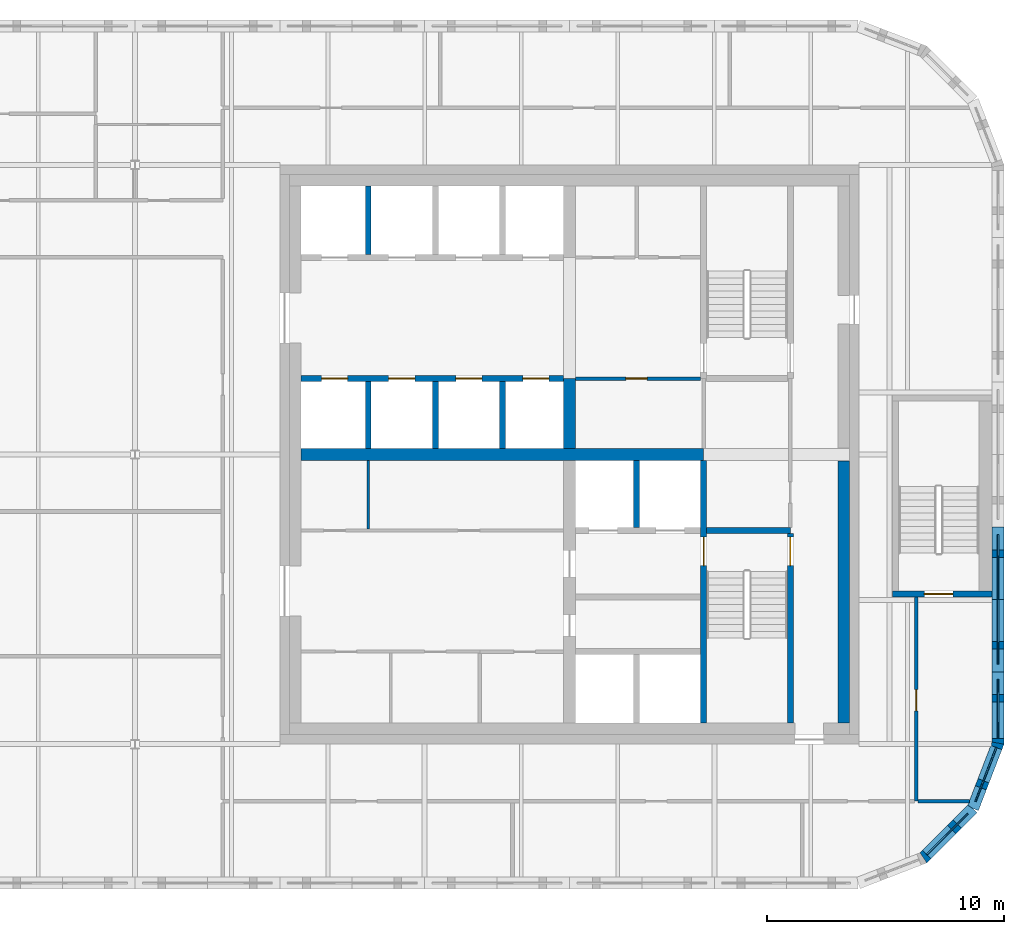
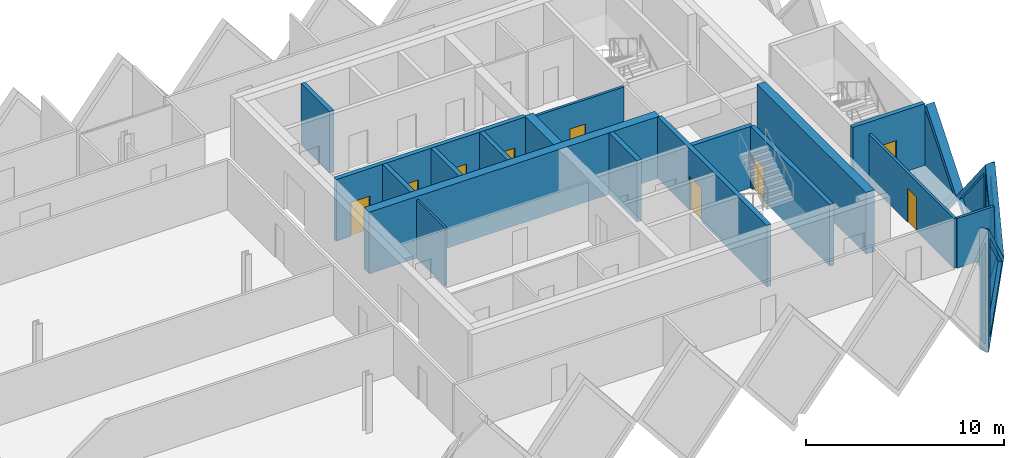
# One storey, part 6 of 11: 21 walls, 9 doors, 4 plates, 13 openings.
"""IFC4 building model written with IfcOpenShell, lengths in metres."""

from ifc_helpers import new_model, si_unit, direction, frame, frame_2d, origin, place, context, subcontext, project, spatial, polyline, rectangle, outline, extrude, faceted_brep, source, transform, mapped, material, layer, layer_set, type_object, element, fill, save


model = new_model("IFC4")

# Units and contexts
model_context = context("Model", 3, precision=1e-05, world=origin(), true_north=direction((0.0, 1.0)))
body_context = subcontext(model_context, "Body", "Model", "MODEL_VIEW")
ifc_project = project(units=[si_unit("LENGTHUNIT", "METRE"), si_unit("AREAUNIT", "SQUARE_METRE"), si_unit("VOLUMEUNIT", "CUBIC_METRE"), si_unit("PLANEANGLEUNIT", "RADIAN"), si_unit("MASSUNIT", "GRAM", prefix="KILO")], contexts=[model_context])

# Site, building, storey
site_placement = place(None, origin())
site = spatial("IfcSite", under=ifc_project, at=site_placement, CompositionType="ELEMENT")
building_placement = place(site_placement, origin())
building = spatial("IfcBuilding", under=site, at=building_placement, Name="Tessera Gate Towers", CompositionType="ELEMENT")
storey_placement = place(building_placement, frame((0.0, 0.0, 240.699951171875)))
storey = spatial("IfcBuildingStorey", under=building, at=storey_placement, Name="L60", CompositionType="ELEMENT", Elevation=240.699951171875)

# Wall, openings, doors
ifc_material_1 = material(Name="Concrete C40/50", Category="concrete")
ifc_layer_1 = layer(ifc_material_1, 0.25)
ifc_layer_set_1 = layer_set([ifc_layer_1], Name="CORE ENCLOSURE WALL 250")
wall_type_1 = type_object("IfcWallType", Name="CORE ENCLOSURE WALL 250", PredefinedType="SOLIDWALL", material=ifc_layer_set_1)
wall_1_placement = place(storey_placement, frame((31.39990234375, 39.800048828125, 0.0), z_axis=(0.0, 0.0, 1.0), x_axis=(1.0, 0.0, 0.0)))
wall_1 = element("IfcWall", 1, at=wall_1_placement, inside=storey, type_object=wall_type_1, Name="L60 shaft and stair enclosure wall", PredefinedType="SOLIDWALL", context=body_context, shape_type="SweptSolid", body=[
    extrude(rectangle(XDim=11.050048828125, YDim=0.25, at=frame_2d((5.52490234375, 0.0))), origin(), (0.0, 0.0, 1.0), 3.800048828125),
])
shared_shape_1 = source(origin(), body_context, "Body", "SweptSolid", [
    extrude(rectangle(XDim=1.10009765625, YDim=2.10009765625, at=frame_2d((0.550048828125, 1.050048828125))), frame((0.0, 0.135009765625, 0.0), z_axis=(0.0, -1.0, 0.0), x_axis=(1.0, 0.0, 0.0)), (0.0, 0.0, 1.0), 0.27001953125),
])
opening_1_placement = place(wall_1_placement, frame((0.862548828125, 0.0, 0.0)))
opening_1 = element("IfcOpeningElement", 2, at=opening_1_placement, cuts=wall_1, Name="Opening LD-HR1", PredefinedType="OPENING", context=body_context, shape_type="MappedRepresentation", body=[
    mapped(shared_shape_1, transform((0.0, 0.0, 0.0), scale=1.0)),
])
opening_2_placement = place(wall_1_placement, frame((3.6875, 0.0, 0.0)))
opening_2 = element("IfcOpeningElement", 3, at=opening_2_placement, cuts=wall_1, Name="Opening LD-HR2", PredefinedType="OPENING", context=body_context, shape_type="MappedRepresentation", body=[
    mapped(shared_shape_1, transform((0.0, 0.0, 0.0), scale=1.0)),
])
opening_3_placement = place(wall_1_placement, frame((6.512451171875, 0.0, 0.0)))
opening_3 = element("IfcOpeningElement", 4, at=opening_3_placement, cuts=wall_1, Name="Opening LD-HR3", PredefinedType="OPENING", context=body_context, shape_type="MappedRepresentation", body=[
    mapped(shared_shape_1, transform((0.0, 0.0, 0.0), scale=1.0)),
])
opening_4_placement = place(wall_1_placement, frame((9.33740234375, 0.0, 0.0)))
opening_4 = element("IfcOpeningElement", 5, at=opening_4_placement, cuts=wall_1, Name="Opening LD-HR4", PredefinedType="OPENING", context=body_context, shape_type="MappedRepresentation", body=[
    mapped(shared_shape_1, transform((0.0, 0.0, 0.0), scale=1.0)),
])
ifc_material_2 = material(Name="Stainless steel", Category="steel")
door_type_1 = type_object("IfcDoorType", Name="CORE DOOR LD 1100x2100", OperationType="DOUBLE_DOOR_SLIDING", PredefinedType="DOOR", material=ifc_material_2)
shared_shape_2 = source(origin(), body_context, "Body", "SweptSolid", [
    extrude(rectangle(XDim=1.10009765625, YDim=2.10009765625, at=frame_2d((0.550048828125, 1.050048828125))), frame((0.0, 0.02490234375, 0.0), z_axis=(0.0, -1.0, 0.0), x_axis=(1.0, 0.0, 0.0)), (0.0, 0.0, 1.0), 0.050048828125),
])
door_1_placement = place(opening_1_placement, origin())
door_1 = element("IfcDoor", 6, at=door_1_placement, inside=storey, type_object=door_type_1, Name="Landing door HR1 L60", OperationType="DOUBLE_DOOR_SLIDING", OverallHeight=2.10009765625, OverallWidth=1.10009765625, PredefinedType="DOOR", context=body_context, shape_type="MappedRepresentation", body=[
    mapped(shared_shape_2, transform((0.0, 0.0, 0.0), scale=1.0)),
])
fill(opening_1, door_1)
door_2_placement = place(opening_2_placement, origin())
door_2 = element("IfcDoor", 7, at=door_2_placement, inside=storey, type_object=door_type_1, Name="Landing door HR2 L60", OperationType="DOUBLE_DOOR_SLIDING", OverallHeight=2.10009765625, OverallWidth=1.10009765625, PredefinedType="DOOR", context=body_context, shape_type="MappedRepresentation", body=[
    mapped(shared_shape_2, transform((0.0, 0.0, 0.0), scale=1.0)),
])
fill(opening_2, door_2)
door_3_placement = place(opening_3_placement, origin())
door_3 = element("IfcDoor", 8, at=door_3_placement, inside=storey, type_object=door_type_1, Name="Landing door HR3 L60", OperationType="DOUBLE_DOOR_SLIDING", OverallHeight=2.10009765625, OverallWidth=1.10009765625, PredefinedType="DOOR", context=body_context, shape_type="MappedRepresentation", body=[
    mapped(shared_shape_2, transform((0.0, 0.0, 0.0), scale=1.0)),
])
fill(opening_3, door_3)
door_4_placement = place(opening_4_placement, origin())
door_4 = element("IfcDoor", 9, at=door_4_placement, inside=storey, type_object=door_type_1, Name="Landing door HR4 L60", OperationType="DOUBLE_DOOR_SLIDING", OverallHeight=2.10009765625, OverallWidth=1.10009765625, PredefinedType="DOOR", context=body_context, shape_type="MappedRepresentation", body=[
    mapped(shared_shape_2, transform((0.0, 0.0, 0.0), scale=1.0)),
])
fill(opening_4, door_4)

# Wall, opening, door
wall_2_placement = place(storey_placement, frame((48.35009765625, 36.35009765625, 0.0), z_axis=(0.0, 0.0, 1.0), x_axis=(0.0, -1.0, 0.0)))
wall_2 = element("IfcWall", 10, at=wall_2_placement, inside=storey, type_object=wall_type_1, Name="L60 shaft and stair enclosure wall", PredefinedType="SOLIDWALL", context=body_context, shape_type="SweptSolid", body=[
    extrude(rectangle(XDim=11.050048828125, YDim=0.25, at=frame_2d((5.52490234375, 0.0))), origin(), (0.0, 0.0, 1.0), 3.800048828125),
])
shared_shape_3 = source(origin(), body_context, "Body", "SweptSolid", [
    extrude(rectangle(XDim=1.199951171875, YDim=2.10009765625, at=frame_2d((0.60009765625, 1.050048828125))), frame((0.0, 0.135009765625, 0.0), z_axis=(0.0, -1.0, 0.0), x_axis=(1.0, 0.0, 0.0)), (0.0, 0.0, 1.0), 0.27001953125),
])
opening_5_placement = place(wall_2_placement, frame((3.22509765625, 0.0, 0.0)))
opening_5 = element("IfcOpeningElement", 11, at=opening_5_placement, cuts=wall_2, Name="Opening SD-ST1-1", PredefinedType="OPENING", context=body_context, shape_type="MappedRepresentation", body=[
    mapped(shared_shape_3, transform((0.0, 0.0, 0.0), scale=1.0)),
])
ifc_material_3 = material(Name="Hollow steel fire door", Category="steel")
door_type_2 = type_object("IfcDoorType", Name="CORE DOOR SD 1200x2100", OperationType="NOTDEFINED", PredefinedType="DOOR", material=ifc_material_3)
shared_shape_4 = source(origin(), body_context, "Body", "SweptSolid", [
    extrude(rectangle(XDim=1.199951171875, YDim=2.10009765625, at=frame_2d((0.60009765625, 1.050048828125))), frame((0.0, 0.02490234375, 0.0), z_axis=(0.0, -1.0, 0.0), x_axis=(1.0, 0.0, 0.0)), (0.0, 0.0, 1.0), 0.050048828125),
])
door_5_placement = place(opening_5_placement, origin())
door_5 = element("IfcDoor", 12, at=door_5_placement, inside=storey, type_object=door_type_2, Name="Stair door", OperationType="SINGLE_SWING_LEFT", OverallHeight=2.10009765625, OverallWidth=1.199951171875, PredefinedType="DOOR", context=body_context, shape_type="MappedRepresentation", body=[
    mapped(shared_shape_4, transform((0.0, 0.0, 0.0), scale=1.0)),
])
fill(opening_5, door_5)

# Wall
wall_3_placement = place(storey_placement, frame((48.47509765625, 33.39990234375, 0.0), z_axis=(0.0, 0.0, 1.0), x_axis=(1.0, 0.0, 0.0)))
element("IfcWall", 13, at=wall_3_placement, inside=storey, type_object=wall_type_1, Name="L60 shaft and stair enclosure wall", PredefinedType="SOLIDWALL", context=body_context, shape_type="SweptSolid", body=[
    extrude(rectangle(XDim=3.52490234375, YDim=0.25, at=frame_2d((1.762451171875, 0.0))), origin(), (0.0, 0.0, 1.0), 3.800048828125),
])

# Wall, opening, door
wall_4_placement = place(storey_placement, frame((52.0, 25.300048828125, 0.0), z_axis=(0.0, 0.0, 1.0), x_axis=(0.0, 1.0, 0.0)))
wall_4 = element("IfcWall", 14, at=wall_4_placement, inside=storey, type_object=wall_type_1, Name="L60 shaft and stair enclosure wall", PredefinedType="SOLIDWALL", context=body_context, shape_type="SweptSolid", body=[
    extrude(rectangle(XDim=7.974853515625, YDim=0.25, at=frame_2d((3.9873046875, 0.0))), origin(), (0.0, 0.0, 1.0), 3.800048828125),
])
opening_6_placement = place(wall_4_placement, frame((6.625, 0.0, 0.0)))
opening_6 = element("IfcOpeningElement", 15, at=opening_6_placement, cuts=wall_4, Name="Opening SD-ST1-2", PredefinedType="OPENING", context=body_context, shape_type="MappedRepresentation", body=[
    mapped(shared_shape_3, transform((0.0, 0.0, 0.0), scale=1.0)),
])
door_6_placement = place(opening_6_placement, origin())
door_6 = element("IfcDoor", 16, at=door_6_placement, inside=storey, type_object=door_type_2, Name="Stair door", OperationType="SINGLE_SWING_RIGHT", OverallHeight=2.10009765625, OverallWidth=1.199951171875, PredefinedType="DOOR", context=body_context, shape_type="MappedRepresentation", body=[
    mapped(shared_shape_4, transform((0.0, 0.0, 0.0), scale=1.0)),
])
fill(opening_6, door_6)

# Walls
for number, where, z_axis, x_axis, name in (
    (17, (34.22509765625, 36.85009765625, 0.0), (0.0, 0.0, 1.0), (0.0, 1.0, 0.0), "L60 shaft and stair enclosure wall"),
    (18, (37.050048828125, 36.85009765625, 0.0), (0.0, 0.0, 1.0), (0.0, 1.0, 0.0), "L60 shaft and stair enclosure wall"),
    (19, (39.875, 36.85009765625, 0.0), (0.0, 0.0, 1.0), (0.0, 1.0, 0.0), "L60 shaft and stair enclosure wall"),
):
    element("IfcWall", number, at=place(storey_placement, frame(where, z_axis=z_axis, x_axis=x_axis)), inside=storey, type_object=wall_type_1, Name=name, PredefinedType="SOLIDWALL", context=body_context, shape_type="SweptSolid", body=[
        extrude(rectangle(XDim=2.824951171875, YDim=0.25, at=frame_2d((1.41259765625, 0.0))), origin(), (0.0, 0.0, 1.0), 3.800048828125),
    ])
wall_5_placement = place(storey_placement, frame((45.52490234375, 33.52490234375, 0.0), z_axis=(0.0, 0.0, 1.0), x_axis=(0.0, 1.0, 0.0)))
element("IfcWall", 20, at=wall_5_placement, inside=storey, type_object=wall_type_1, Name="L60 shaft and stair enclosure wall", PredefinedType="SOLIDWALL", context=body_context, shape_type="SweptSolid", body=[
    extrude(rectangle(XDim=2.8251953125, YDim=0.25, at=frame_2d((1.41259765625, 0.0))), origin(), (0.0, 0.0, 1.0), 3.800048828125),
])
wall_6_placement = place(storey_placement, frame((34.22509765625, 45.02490234375, 0.0), z_axis=(0.0, 0.0, 1.0), x_axis=(0.0, 1.0, 0.0)))
element("IfcWall", 21, at=wall_6_placement, inside=storey, type_object=wall_type_1, Name="L60 shaft and stair enclosure wall", PredefinedType="SOLIDWALL", context=body_context, shape_type="SweptSolid", body=[
    extrude(rectangle(XDim=2.875, YDim=0.25, at=frame_2d((1.4375, 0.0))), origin(), (0.0, 0.0, 1.0), 3.800048828125),
])

# Wall, opening, door
wall_7_placement = place(storey_placement, frame((60.5, 30.72509765625, 0.0), z_axis=(0.0, 0.0, 1.0), x_axis=(-1.0, 0.0, 0.0)))
wall_7 = element("IfcWall", 22, at=wall_7_placement, inside=storey, type_object=wall_type_1, Name="L60 ST5 enclosure wall", PredefinedType="SOLIDWALL", context=body_context, shape_type="SweptSolid", body=[
    extrude(rectangle(XDim=4.199951171875, YDim=0.25, at=frame_2d((2.10009765625, 0.0))), origin(), (0.0, 0.0, 1.0), 3.800048828125),
])
opening_7_placement = place(wall_7_placement, frame((1.64990234375, 0.0, 0.0)))
opening_7 = element("IfcOpeningElement", 23, at=opening_7_placement, cuts=wall_7, Name="Opening SD-ST5-1", PredefinedType="OPENING", context=body_context, shape_type="MappedRepresentation", body=[
    mapped(shared_shape_3, transform((0.0, 0.0, 0.0), scale=1.0)),
])
door_7_placement = place(opening_7_placement, origin())
door_7 = element("IfcDoor", 24, at=door_7_placement, inside=storey, type_object=door_type_2, Name="Stair door", OperationType="SINGLE_SWING_RIGHT", OverallHeight=2.10009765625, OverallWidth=1.199951171875, PredefinedType="DOOR", context=body_context, shape_type="MappedRepresentation", body=[
    mapped(shared_shape_4, transform((0.0, 0.0, 0.0), scale=1.0)),
])
fill(opening_7, door_7)

# Walls
ifc_material_4 = material(Name="Gypsum board on steel studs", Category="steel")
ifc_layer_2 = layer(ifc_material_4, 0.1201171875)
ifc_layer_set_2 = layer_set([ifc_layer_2], Name="CORE PARTITION 120")
wall_type_2 = type_object("IfcWallType", Name="CORE PARTITION 120", PredefinedType="PARTITIONING", material=ifc_layer_set_2)
wall_8_placement = place(storey_placement, frame((34.22509765625, 33.4599609375, 0.0), z_axis=(0.0, 0.0, 1.0), x_axis=(0.0, 1.0, 0.0)))
element("IfcWall", 25, at=wall_8_placement, inside=storey, type_object=wall_type_2, Name="L60 core partition", PredefinedType="PARTITIONING", context=body_context, shape_type="SweptSolid", body=[
    extrude(rectangle(XDim=2.89013671875, YDim=0.1201171875, at=frame_2d((1.445068359375, 0.0))), origin(), (0.0, 0.0, 1.0), 3.60009765625),
])
ifc_material_5 = material(Name="Concrete C40/50", Category="concrete")
ifc_layer_3 = layer(ifc_material_5, 0.5)
ifc_layer_set_3 = layer_set([ifc_layer_3], Name="CORE SPINE WALL 500 C40/50")
wall_type_3 = type_object("IfcWallType", Name="CORE SPINE WALL 500 C40/50", PredefinedType="SHEAR", material=ifc_layer_set_3)
wall_9_placement = place(storey_placement, frame((31.39990234375, 36.60009765625, 0.0), z_axis=(0.0, 0.0, 1.0), x_axis=(1.0, 0.0, 0.0)))
element("IfcWall", 26, at=wall_9_placement, inside=storey, type_object=wall_type_3, Name="Core wall spine L60", PredefinedType="SHEAR", context=body_context, shape_type="SweptSolid", body=[
    extrude(rectangle(XDim=16.9501953125, YDim=0.5, at=frame_2d((8.47509765625, 0.0))), origin(), (0.0, 0.0, 1.0), 3.800048828125),
])
wall_10_placement = place(storey_placement, frame((42.699951171875, 36.85009765625, 0.0), z_axis=(0.0, 0.0, 1.0), x_axis=(0.0, 1.0, 0.0)))
element("IfcWall", 27, at=wall_10_placement, inside=storey, type_object=wall_type_3, Name="Core wall spine L60", PredefinedType="SHEAR", context=body_context, shape_type="SweptSolid", body=[
    extrude(rectangle(XDim=2.949951171875, YDim=0.5, at=frame_2d((1.47509765625, 0.0))), origin(), (0.0, 0.0, 1.0), 3.800048828125),
])
ifc_material_6 = material(Name="Concrete C40/50", Category="concrete")
ifc_layer_4 = layer(ifc_material_6, 0.5)
ifc_layer_set_4 = layer_set([ifc_layer_4], Name="CORE WALL THICKENING 500")
wall_type_4 = type_object("IfcWallType", Name="CORE WALL THICKENING 500", PredefinedType="SOLIDWALL", material=ifc_layer_set_4)
wall_11_placement = place(storey_placement, frame((54.25, 25.300048828125, 0.0), z_axis=(0.0, 0.0, 1.0), x_axis=(0.0, 1.0, 0.0)))
element("IfcWall", 28, at=wall_11_placement, inside=storey, type_object=wall_type_4, Name="Core wall thickening E L60", PredefinedType="SOLIDWALL", context=body_context, shape_type="SweptSolid", body=[
    extrude(rectangle(XDim=11.02001953125, YDim=0.5, at=frame_2d((5.510009765625, 0.0))), origin(), (0.0, 0.0, 1.0), 3.800048828125),
])

# Wall, opening, door
ifc_material_7 = material(Name="Gypsum board on steel studs, mineral wool", Category="steel")
ifc_layer_5 = layer(ifc_material_7, 0.14990234375)
ifc_layer_set_5 = layer_set([ifc_layer_5], Name="CORRIDOR WALL 150")
wall_type_5 = type_object("IfcWallType", Name="CORRIDOR WALL 150", PredefinedType="PARTITIONING", material=ifc_layer_set_5)
wall_12_placement = place(storey_placement, frame((57.300048828125, 30.60009765625, 0.0), z_axis=(0.0, 0.0, 1.0), x_axis=(0.0, -1.0, 0.0)))
wall_12 = element("IfcWall", 29, at=wall_12_placement, inside=storey, type_object=wall_type_5, Name="T1-L60-PW-007", PredefinedType="PARTITIONING", context=body_context, shape_type="SweptSolid", body=[
    extrude(rectangle(XDim=8.60009765625, YDim=0.14990234375, at=frame_2d((4.300048828125, 0.0))), origin(), (0.0, 0.0, 1.0), 3.067138671875),
])
shared_shape_5 = source(origin(), body_context, "Body", "SweptSolid", [
    extrude(rectangle(XDim=0.89990234375, YDim=2.10009765625, at=frame_2d((0.449951171875, 1.050048828125))), frame((0.0, 0.0849609375, 0.0), z_axis=(0.0, -1.0, 0.0), x_axis=(1.0, 0.0, 0.0)), (0.0, 0.0, 1.0), 0.169921875),
])
opening_8_placement = place(wall_12_placement, frame((3.89990234375, 0.0, 0.0)))
opening_8 = element("IfcOpeningElement", 30, at=opening_8_placement, cuts=wall_12, Name="Opening D890FD60-A21-06", PredefinedType="OPENING", context=body_context, shape_type="MappedRepresentation", body=[
    mapped(shared_shape_5, transform((0.0, 0.0, 0.0), scale=1.0)),
])
ifc_material_8 = material(Name="Timber door leaf in steel frame", Category="steel")
door_type_3 = type_object("IfcDoorType", Name="CORRIDOR DOOR 900 FD60", OperationType="NOTDEFINED", PredefinedType="DOOR", material=ifc_material_8)
shared_shape_6 = source(origin(), body_context, "Body", "SweptSolid", [
    extrude(rectangle(XDim=0.89990234375, YDim=2.10009765625, at=frame_2d((0.449951171875, 1.050048828125))), frame((0.0, 0.02490234375, 0.0), z_axis=(0.0, -1.0, 0.0), x_axis=(1.0, 0.0, 0.0)), (0.0, 0.0, 1.0), 0.050048828125),
])
door_8_placement = place(opening_8_placement, origin())
door_8 = element("IfcDoor", 31, at=door_8_placement, inside=storey, type_object=door_type_3, Name="T1-L60-PD-010", OperationType="SINGLE_SWING_RIGHT", OverallHeight=2.10009765625, OverallWidth=0.89990234375, PredefinedType="DOOR", context=body_context, shape_type="MappedRepresentation", body=[
    mapped(shared_shape_6, transform((0.0, 0.0, 0.0), scale=1.0)),
])
fill(opening_8, door_8)

ifc_material_9 = material(Name="Gypsum board on steel studs", Category="steel")
ifc_layer_6 = layer(ifc_material_9, 0.14990234375)
ifc_layer_set_6 = layer_set([ifc_layer_6], Name="SERVICE ROOM WALL 150")
wall_type_6 = type_object("IfcWallType", Name="SERVICE ROOM WALL 150", PredefinedType="PARTITIONING", material=ifc_layer_set_6)
wall_13_placement = place(storey_placement, frame((48.22509765625, 39.800048828125, 0.0), z_axis=(0.0, 0.0, 1.0), x_axis=(-1.0, 0.0, 0.0)))
wall_13 = element("IfcWall", 32, at=wall_13_placement, inside=storey, type_object=wall_type_6, Name="L60 service room wall", PredefinedType="PARTITIONING", context=body_context, shape_type="SweptSolid", body=[
    extrude(rectangle(XDim=5.275146484375, YDim=0.14990234375, at=frame_2d((2.6376953125, 0.0))), origin(), (0.0, 0.0, 1.0), 3.60009765625),
])
opening_9_placement = place(wall_13_placement, frame((2.25, 0.0, 0.0)))
opening_9 = element("IfcOpeningElement", 33, at=opening_9_placement, cuts=wall_13, Name="Opening RD-T1-36-12", PredefinedType="OPENING", context=body_context, shape_type="MappedRepresentation", body=[
    mapped(shared_shape_5, transform((0.0, 0.0, 0.0), scale=1.0)),
])
ifc_material_10 = material(Name="Hollow steel fire door", Category="steel")
door_type_4 = type_object("IfcDoorType", Name="CORE DOOR RD 900x2100", OperationType="NOTDEFINED", PredefinedType="DOOR", material=ifc_material_10)
door_9_placement = place(opening_9_placement, origin())
door_9 = element("IfcDoor", 34, at=door_9_placement, inside=storey, type_object=door_type_4, Name="Core room door", OperationType="SINGLE_SWING_RIGHT", OverallHeight=2.10009765625, OverallWidth=0.89990234375, PredefinedType="DOOR", context=body_context, shape_type="MappedRepresentation", body=[
    mapped(shared_shape_6, transform((0.0, 0.0, 0.0), scale=1.0)),
])
fill(opening_9, door_9)

# Wall
ifc_material_11 = material(Name="Gypsum board on steel studs, mineral wool", Category="steel")
ifc_layer_7 = layer(ifc_material_11, 0.14990234375)
ifc_layer_set_7 = layer_set([ifc_layer_7], Name="TENANCY WALL 150")
wall_type_7 = type_object("IfcWallType", Name="TENANCY WALL 150", PredefinedType="PARTITIONING", material=ifc_layer_set_7)
wall_14_placement = place(storey_placement, frame((57.3759765625, 22.0, 0.0), z_axis=(0.0, 0.0, 1.0), x_axis=(1.0, 0.0, 0.0)))
element("IfcWall", 35, at=wall_14_placement, inside=storey, type_object=wall_type_7, Name="T1-L60-PW-008", PredefinedType="PARTITIONING", context=body_context, shape_type="SweptSolid", body=[
    extrude(rectangle(XDim=2.162353515625, YDim=0.14990234375, at=frame_2d((1.0810546875, 0.0))), origin(), (0.0, 0.0, 1.0), 3.067138671875),
])

# Wall, opening, plate
ifc_material_12 = material(Name="Precast concrete C60/75 white", Category="concrete")
ifc_layer_8 = layer(ifc_material_12, 0.5)
ifc_layer_set_8 = layer_set([ifc_layer_8], Name="TS1 tessera")
wall_type_8 = type_object("IfcWallType", Name="TS1 tessera", PredefinedType="SOLIDWALL", material=ifc_layer_set_8)
shared_shape_7 = source(origin(), body_context, "Body", "SweptSolid", [
    extrude(outline(polyline([(3.050048828125, 0.0), (6.10009765625, 3.800048828125), (3.050048828125, 7.60009765625), (0.0, 3.800048828125), (3.050048828125, 0.0)])), frame((0.0, 0.25, 0.0), z_axis=(0.0, -1.0, 0.0), x_axis=(1.0, 0.0, 0.0)), (0.0, 0.0, 1.0), 0.5),
])
wall_15_placement = place(storey_placement, frame((60.75, 27.449951171875, -3.800048828125), z_axis=(0.0, 0.0, 1.0), x_axis=(0.0, 1.0, 0.0)))
wall_15 = element("IfcWall", 36, at=wall_15_placement, inside=storey, type_object=wall_type_8, Name="Precast tessera T1 TS1-1043", PredefinedType="SOLIDWALL", context=body_context, shape_type="MappedRepresentation", body=[
    mapped(shared_shape_7, transform((0.0, 0.0, 0.0), scale=1.0)),
])
shared_shape_8 = source(origin(), body_context, "Body", "SweptSolid", [
    extrude(outline(polyline([(3.050048828125, 0.3994140625), (5.779541015625, 3.800048828125), (3.050048828125, 7.20068359375), (0.320556640625, 3.800048828125), (3.050048828125, 0.3994140625)])), frame((0.0, 0.260009765625, 0.0), z_axis=(0.0, -1.0, 0.0), x_axis=(1.0, 0.0, 0.0)), (0.0, 0.0, 1.0), 0.52001953125),
])
opening_10_placement = place(wall_15_placement, origin())
opening_10 = element("IfcOpeningElement", 37, at=opening_10_placement, cuts=wall_15, Name="Opening T1-PL2-2131", PredefinedType="OPENING", context=body_context, shape_type="MappedRepresentation", body=[
    mapped(shared_shape_8, transform((0.0, 0.0, 0.0), scale=1.0)),
])
ifc_material_13 = material(Name="Low-e laminated glass", Category="glass")
ifc_layer_9 = layer(ifc_material_13, 0.06005859375)
ifc_layer_set_9 = layer_set([ifc_layer_9], Name="PL2 rhombic pane")
plate_type = type_object("IfcPlateType", Name="PL2 rhombic pane", PredefinedType="SHEET", material=ifc_layer_set_9)
shared_shape_9 = source(origin(), body_context, "Body", "SweptSolid", [
    extrude(outline(polyline([(3.050048828125, 0.3994140625), (5.779541015625, 3.800048828125), (3.050048828125, 7.20068359375), (0.320556640625, 3.800048828125), (3.050048828125, 0.3994140625)])), frame((0.0, 0.030029296875, 0.0), z_axis=(0.0, -1.0, 0.0), x_axis=(1.0, 0.0, 0.0)), (0.0, 0.0, 1.0), 0.06005859375),
])
plate_1_placement = place(opening_10_placement, origin())
plate_1 = element("IfcPlate", 38, at=plate_1_placement, inside=storey, type_object=plate_type, Name="Glass pane T1 PL2-2131", PredefinedType="SHEET", context=body_context, shape_type="MappedRepresentation", body=[
    mapped(shared_shape_9, transform((0.0, 0.0, 0.0), scale=1.0)),
])
fill(opening_10, plate_1)

ifc_material_14 = material(Name="Precast concrete C60/75 white", Category="concrete")
ifc_layer_10 = layer(ifc_material_14, 0.5)
ifc_layer_set_10 = layer_set([ifc_layer_10], Name="TS3 corner tessera")
wall_type_9 = type_object("IfcWallType", Name="TS3 corner tessera", PredefinedType="SOLIDWALL", material=ifc_layer_set_10)
shared_shape_10 = source(origin(), body_context, "Body", "Brep", [
    faceted_brep([(2.950439453125, -0.25, 0.0), (2.9970703125, -0.25, 0.05908203125), (2.9970703125, -0.25, 7.541015625), (2.950439453125, -0.25, 7.60009765625), (0.0, -0.25, 3.800048828125), (0.052978515625, 0.25, 3.8681640625), (2.904052734375, 0.25, 7.540283203125), (2.904052734375, 0.25, 0.059814453125), (0.052978515625, 0.25, 3.73193359375), (2.950439453125, 0.00048828125, 0.0), (2.950439453125, 0.00048828125, 7.60009765625), (0.0, 0.0, 3.800048828125)], [[[0, 1, 2, 3, 4]], [[5, 6, 7, 8]], [[1, 0, 9]], [[10, 3, 2]], [[6, 5, 11, 4, 3, 10]], [[8, 7, 9, 0, 4, 11]], [[8, 11, 5]], [[1, 9, 7, 6, 10, 2]]]),
])
wall_16_placement = place(storey_placement, frame((59.68798828125, 21.69384765625, -3.800048828125), z_axis=(0.0, 0.0, 1.0), x_axis=(0.359972353723, 0.932962970624, 0.0)))
wall_16 = element("IfcWall", 39, at=wall_16_placement, inside=storey, type_object=wall_type_9, Name="Precast corner tessera T1 TS3-1387", PredefinedType="SOLIDWALL", context=body_context, shape_type="MappedRepresentation", body=[
    mapped(shared_shape_10, transform((0.0, 0.0, 0.0), scale=1.0)),
])
shared_shape_11 = source(origin(), body_context, "Body", "SweptSolid", [
    extrude(outline(polyline([(2.75048828125, 6.934814453125), (0.31640625, 3.800048828125), (2.75048828125, 0.665283203125), (2.75048828125, 6.934814453125)])), frame((0.0, 0.260009765625, 0.0), z_axis=(0.0, -1.0, 0.0), x_axis=(1.0, 0.0, 0.0)), (0.0, 0.0, 1.0), 0.52001953125),
])
opening_11_placement = place(wall_16_placement, origin())
opening_11 = element("IfcOpeningElement", 40, at=opening_11_placement, cuts=wall_16, Name="Opening T1-PL2-2129", PredefinedType="OPENING", context=body_context, shape_type="MappedRepresentation", body=[
    mapped(shared_shape_11, transform((0.0, 0.0, 0.0), scale=1.0)),
])
shared_shape_12 = source(origin(), body_context, "Body", "SweptSolid", [
    extrude(outline(polyline([(2.75048828125, 6.934814453125), (0.31640625, 3.800048828125), (2.75048828125, 0.665283203125), (2.75048828125, 6.934814453125)])), frame((0.0, 0.030029296875, 0.0), z_axis=(0.0, -1.0, 0.0), x_axis=(1.0, 0.0, 0.0)), (0.0, 0.0, 1.0), 0.06005859375),
])
plate_2_placement = place(opening_11_placement, origin())
plate_2 = element("IfcPlate", 41, at=plate_2_placement, inside=storey, type_object=plate_type, Name="Glass pane T1 PL2-2129", PredefinedType="SHEET", context=body_context, shape_type="MappedRepresentation", body=[
    mapped(shared_shape_12, transform((0.0, 0.0, 0.0), scale=1.0)),
])
fill(opening_11, plate_2)

shared_shape_13 = source(origin(), body_context, "Body", "Brep", [
    faceted_brep([(0.046630859375, -0.25, 0.0), (3.050048828125, -0.25, 3.800048828125), (0.046630859375, -0.25, 7.60009765625), (0.0, -0.25, 7.5400390625), (0.0, -0.25, 0.06005859375), (0.09326171875, 0.25, 7.541259765625), (3.050048828125, 0.25, 3.800048828125), (0.09326171875, 0.25, 0.058837890625), (0.046630859375, 0.0, 0.0), (0.046630859375, 0.0, 7.60009765625)], [[[0, 1, 2, 3, 4]], [[5, 6, 7]], [[7, 6, 1, 0, 8]], [[6, 5, 9, 2, 1]], [[3, 2, 9]], [[8, 0, 4]], [[7, 8, 4, 3, 9, 5]]]),
])
wall_17_placement = place(storey_placement, frame((60.75, 24.39990234375, -3.800048828125), z_axis=(0.0, 0.0, 1.0), x_axis=(0.0, 1.0, 0.0)))
wall_17 = element("IfcWall", 42, at=wall_17_placement, inside=storey, type_object=wall_type_9, Name="Precast corner tessera T1 TS3-1388", PredefinedType="SOLIDWALL", context=body_context, shape_type="MappedRepresentation", body=[
    mapped(shared_shape_13, transform((0.0, 0.0, 0.0), scale=1.0)),
])
shared_shape_14 = source(origin(), body_context, "Body", "SweptSolid", [
    extrude(outline(polyline([(0.24658203125, 0.65625), (2.7314453125, 3.800048828125), (0.24658203125, 6.94384765625), (0.24658203125, 0.65625)])), frame((0.0, 0.260009765625, 0.0), z_axis=(0.0, -1.0, 0.0), x_axis=(1.0, 0.0, 0.0)), (0.0, 0.0, 1.0), 0.52001953125),
])
opening_12_placement = place(wall_17_placement, origin())
opening_12 = element("IfcOpeningElement", 43, at=opening_12_placement, cuts=wall_17, Name="Opening T1-PL2-2130", PredefinedType="OPENING", context=body_context, shape_type="MappedRepresentation", body=[
    mapped(shared_shape_14, transform((0.0, 0.0, 0.0), scale=1.0)),
])
shared_shape_15 = source(origin(), body_context, "Body", "SweptSolid", [
    extrude(outline(polyline([(0.24658203125, 0.65625), (2.7314453125, 3.800048828125), (0.24658203125, 6.94384765625), (0.24658203125, 0.65625)])), frame((0.0, 0.030029296875, 0.0), z_axis=(0.0, -1.0, 0.0), x_axis=(1.0, 0.0, 0.0)), (0.0, 0.0, 1.0), 0.06005859375),
])
plate_3_placement = place(opening_12_placement, origin())
plate_3 = element("IfcPlate", 44, at=plate_3_placement, inside=storey, type_object=plate_type, Name="Glass pane T1 PL2-2130", PredefinedType="SHEET", context=body_context, shape_type="MappedRepresentation", body=[
    mapped(shared_shape_15, transform((0.0, 0.0, 0.0), scale=1.0)),
])
fill(opening_12, plate_3)

shared_shape_16 = source(origin(), body_context, "Body", "Brep", [
    faceted_brep([(0.052978515625, -0.25, 0.0), (2.9970703125, -0.25, 3.800048828125), (0.052978515625, -0.25, 7.60009765625), (0.0, -0.25, 7.531982421875), (0.0, -0.25, 0.068115234375), (0.10595703125, 0.25, 7.53173828125), (2.944091796875, 0.25, 3.8681640625), (2.944091796875, 0.25, 3.73193359375), (0.10595703125, 0.25, 0.068359375), (2.9970703125, 0.000244140625, 3.800048828125), (0.052978515625, 0.0, 0.0), (0.052978515625, 0.0, 7.60009765625)], [[[0, 1, 2, 3, 4]], [[5, 6, 7, 8]], [[8, 7, 9, 1, 0, 10]], [[6, 5, 11, 2, 1, 9]], [[3, 2, 11]], [[10, 0, 4]], [[8, 10, 4, 3, 11, 5]], [[9, 7, 6]]]),
])
wall_18_placement = place(storey_placement, frame((57.56884765625, 19.574462890625, -3.800048828125), z_axis=(0.0, 0.0, 1.0), x_axis=(0.707106781187, 0.707106781187, 0.0)))
wall_18 = element("IfcWall", 45, at=wall_18_placement, inside=storey, type_object=wall_type_9, Name="Precast corner tessera T1 TS3-1386", PredefinedType="SOLIDWALL", context=body_context, shape_type="MappedRepresentation", body=[
    mapped(shared_shape_16, transform((0.0, 0.0, 0.0), scale=1.0)),
])
shared_shape_17 = source(origin(), body_context, "Body", "SweptSolid", [
    extrude(outline(polyline([(0.2529296875, 0.66650390625), (2.680908203125, 3.800048828125), (0.2529296875, 6.933837890625), (0.2529296875, 0.66650390625)])), frame((0.0, 0.260009765625, 0.0), z_axis=(0.0, -1.0, 0.0), x_axis=(1.0, 0.0, 0.0)), (0.0, 0.0, 1.0), 0.52001953125),
])
opening_13_placement = place(wall_18_placement, origin())
opening_13 = element("IfcOpeningElement", 46, at=opening_13_placement, cuts=wall_18, Name="Opening T1-PL2-2128", PredefinedType="OPENING", context=body_context, shape_type="MappedRepresentation", body=[
    mapped(shared_shape_17, transform((0.0, 0.0, 0.0), scale=1.0)),
])
shared_shape_18 = source(origin(), body_context, "Body", "SweptSolid", [
    extrude(outline(polyline([(0.2529296875, 0.66650390625), (2.680908203125, 3.800048828125), (0.2529296875, 6.933837890625), (0.2529296875, 0.66650390625)])), frame((0.0, 0.030029296875, 0.0), z_axis=(0.0, -1.0, 0.0), x_axis=(1.0, 0.0, 0.0)), (0.0, 0.0, 1.0), 0.06005859375),
])
plate_4_placement = place(opening_13_placement, origin())
plate_4 = element("IfcPlate", 47, at=plate_4_placement, inside=storey, type_object=plate_type, Name="Glass pane T1 PL2-2128", PredefinedType="SHEET", context=body_context, shape_type="MappedRepresentation", body=[
    mapped(shared_shape_18, transform((0.0, 0.0, 0.0), scale=1.0)),
])
fill(opening_13, plate_4)

save(model, "model.ifc")
